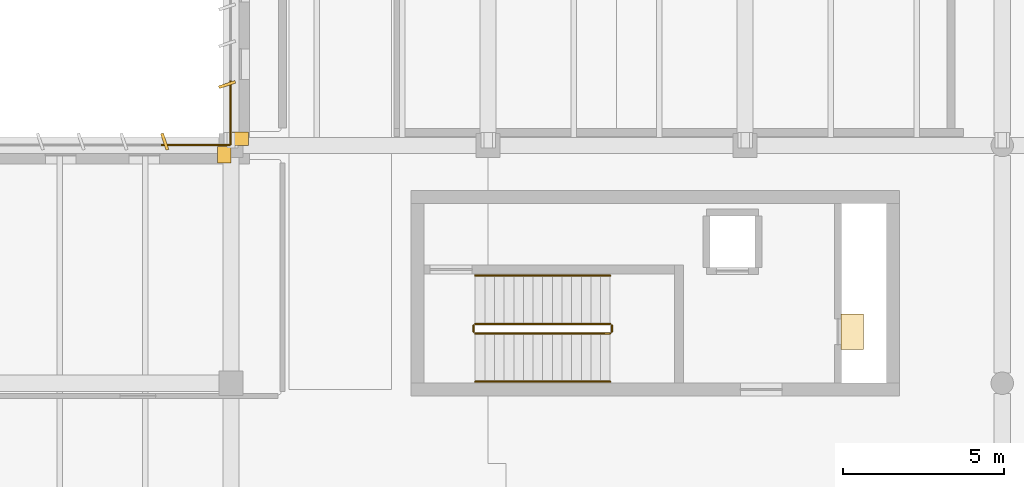
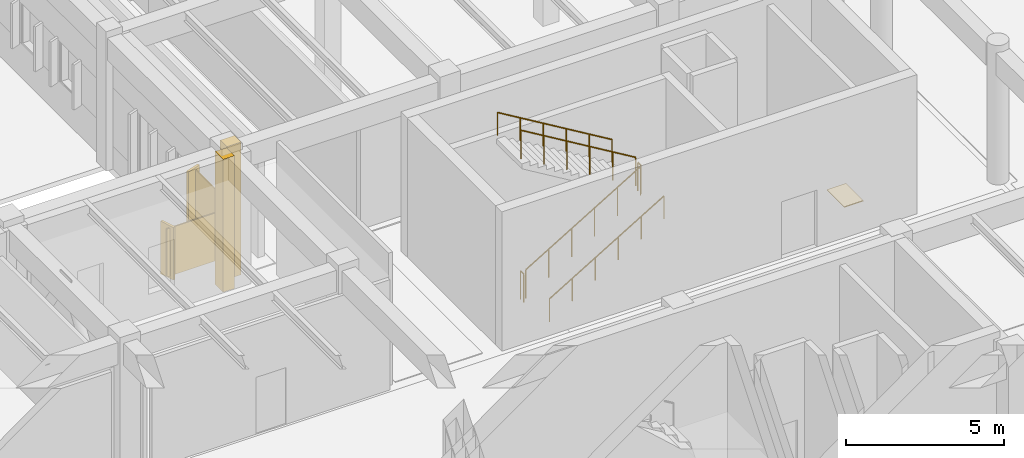
# One storey, part 39 of 56: 7 coverings, 6 railings.
"""IFC4 building model written with IfcOpenShell, lengths in metres."""

from ifc_helpers import new_model, si_unit, direction, frame, frame_2d, origin, origin_2d, place, context, subcontext, project, spatial, polyline, rectangle, circle, outline, extrude, material, layer, layer_set, type_object, element, save


model = new_model("IFC4")

# Units and contexts
model_context = context("Model", 3, precision=1e-05, world=origin(), true_north=direction((0.0, 1.0)))
body_context = subcontext(model_context, "Body", "Model", "MODEL_VIEW")
ifc_project = project(units=[si_unit("LENGTHUNIT", "METRE"), si_unit("AREAUNIT", "SQUARE_METRE"), si_unit("VOLUMEUNIT", "CUBIC_METRE"), si_unit("PLANEANGLEUNIT", "RADIAN"), si_unit("MASSUNIT", "GRAM", prefix="KILO")], contexts=[model_context])

# Site, building, storey
site_placement = place(None, origin())
site = spatial("IfcSite", under=ifc_project, at=site_placement, CompositionType="ELEMENT")
building_placement = place(site_placement, origin())
building = spatial("IfcBuilding", under=site, at=building_placement, Name="Valkorina Park Police Headquarters", CompositionType="ELEMENT")
storey_placement = place(building_placement, origin())
storey = spatial("IfcBuildingStorey", under=building, at=storey_placement, Name="L01", CompositionType="ELEMENT", Elevation=0.0)

# Coverings
ifc_material_1 = material(Name="Precast concrete C40/50", Category="concrete")
ifc_layer_1 = layer(ifc_material_1, 0.044921875)
ifc_layer_set_1 = layer_set([ifc_layer_1], Name="Precast concrete C40/50")
covering_type_1 = type_object("IfcCoveringType", Name="COV-CLAD-DOLOMITE", PredefinedType="CLADDING", material=ifc_layer_set_1)
covering_1_placement = place(storey_placement, frame((32.5849609375, 58.909912109375, 0.0), z_axis=(0.0, 0.0, 1.0), x_axis=(1.0, 0.0, 0.0)))
element("IfcCovering", 1, at=covering_1_placement, inside=storey, type_object=covering_type_1, Name="L01 Exterior Joint Closure Pilaster B 0110", PredefinedType="CLADDING", context=body_context, shape_type="SweptSolid", body=[
    extrude(rectangle(XDim=0.419921875, YDim=0.52197265625, at=origin_2d()), origin(), (0.0, 0.0, 1.0), 5.139892578125),
])
covering_2_placement = place(storey_placement, frame((30.736328125, 59.320068359375, 0.780029296875), z_axis=(0.0, 0.0, 1.0), x_axis=(-0.317304656405, 0.948323655206, 0.0)))
element("IfcCovering", 2, at=covering_2_placement, inside=storey, type_object=covering_type_1, Name="Slanted 18.5-deg Precast Window Slot Fin 0114", PredefinedType="CLADDING", context=body_context, shape_type="SweptSolid", body=[
    extrude(rectangle(XDim=0.5400390625, YDim=0.090087890625, at=origin_2d()), origin(), (0.0, 0.0, 1.0), 2.0400390625),
])
covering_3_placement = place(storey_placement, frame((30.62646484375, 59.215087890625, 0.8701171875), z_axis=(0.0, 0.0, 1.0), x_axis=(1.0, 0.0, 0.0)))
element("IfcCovering", 3, at=covering_3_placement, inside=storey, type_object=covering_type_1, Name="L01 Calm Concrete Base Slot Pier 0119", PredefinedType="CLADDING", context=body_context, shape_type="SweptSolid", body=[
    extrude(rectangle(XDim=2.153564453125, YDim=0.044921875, at=frame_2d((1.07666015625, 0.0))), origin(), (0.0, 0.0, 1.0), 1.85986328125),
])
covering_4_placement = place(storey_placement, frame((33.090087890625, 59.4150390625, 0.0), z_axis=(0.0, 0.0, 1.0), x_axis=(0.0, 1.0, 0.0)))
element("IfcCovering", 4, at=covering_4_placement, inside=storey, type_object=covering_type_1, Name="L01 Exterior Joint Closure Pilaster A 0120", PredefinedType="CLADDING", context=body_context, shape_type="SweptSolid", body=[
    extrude(rectangle(XDim=0.419921875, YDim=0.52197265625, at=origin_2d()), origin(), (0.0, 0.0, 1.0), 5.139892578125),
])
covering_5_placement = place(storey_placement, frame((32.679931640625, 61.095703125, 0.780029296875), z_axis=(0.0, 0.0, 1.0), x_axis=(-0.948323655206, -0.317304656405, 0.0)))
element("IfcCovering", 5, at=covering_5_placement, inside=storey, type_object=covering_type_1, Name="Slanted 18.5-deg Precast Window Slot Fin 0122", PredefinedType="CLADDING", context=body_context, shape_type="SweptSolid", body=[
    extrude(rectangle(XDim=0.5400390625, YDim=0.090087890625, at=origin_2d()), origin(), (0.0, 0.0, 1.0), 2.43994140625),
])
covering_6_placement = place(storey_placement, frame((32.784912109375, 59.219970703125, 0.8701171875), z_axis=(0.0, 0.0, 1.0), x_axis=(0.0, 1.0, 0.0)))
element("IfcCovering", 6, at=covering_6_placement, inside=storey, type_object=covering_type_1, Name="L01 Calm Concrete Base Slot Pier 0128", PredefinedType="CLADDING", context=body_context, shape_type="SweptSolid", body=[
    extrude(rectangle(XDim=1.985595703125, YDim=0.044921875, at=frame_2d((0.99267578125, 0.0))), origin(), (0.0, 0.0, 1.0), 2.259765625),
])
ifc_material_2 = material(Name="Resin terrazzo flooring")
ifc_layer_2 = layer(ifc_material_2, 0.030029296875)
ifc_layer_set_2 = layer_set([ifc_layer_2], Name="Resin terrazzo flooring")
covering_type_2 = type_object("IfcCoveringType", Name="COV-FLOOR-TERRAZZO", PredefinedType="FLOORING", material=ifc_layer_set_2)
covering_7_placement = place(storey_placement, origin())
element("IfcCovering", 7, at=covering_7_placement, inside=storey, type_object=covering_type_2, Name="Core C3 L01 Riser Inspection Threshold Grate", PredefinedType="FLOORING", context=body_context, shape_type="SweptSolid", body=[
    extrude(outline(polyline([(52.47998046875, 52.85009765625), (52.47998046875, 53.949951171875), (51.780029296875, 53.949951171875), (51.780029296875, 52.85009765625), (52.47998046875, 52.85009765625)])), origin(), (0.0, 0.0, 1.0), 0.030029296875),
])

# Railings
ifc_material_3 = material(Name="Stainless steel EN 1.4404", Category="steel")
railing_type_1 = type_object("IfcRailingType", Name="RL-GUARD-INT-1100", PredefinedType="BALUSTRADE", material=ifc_material_3)
railing_1_placement = place(storey_placement, frame((40.39990234375, 53.35009765625, 0.179931640625)))
element("IfcRailing", 8, at=railing_1_placement, inside=storey, type_object=railing_type_1, Name="L01 Core C3 Stair Guard 1", PredefinedType="BALUSTRADE", context=body_context, shape_type="SweptSolid", body=[
    extrude(circle(Radius=0.02392578125, at=origin_2d()), frame((0.0, 0.0, 1.09619140625), z_axis=(0.857501721439, 0.0, 0.514481095599), x_axis=(0.0, 1.0, 0.0)), (0.0, 0.0, 1.0), 4.898193359375),
    extrude(circle(Radius=0.02099609375, at=origin_2d()), origin(), (0.0, 0.0, 1.0), 1.072021484375),
    extrude(circle(Radius=0.02099609375, at=origin_2d()), frame((0.840087890625, 0.0, 0.50390625)), (0.0, 0.0, 1.0), 1.072021484375),
    extrude(circle(Radius=0.02099609375, at=origin_2d()), frame((1.68017578125, 0.0, 1.008056640625)), (0.0, 0.0, 1.0), 1.072021484375),
    extrude(circle(Radius=0.02099609375, at=origin_2d()), frame((2.52001953125, 0.0, 1.511962890625)), (0.0, 0.0, 1.0), 1.072021484375),
    extrude(circle(Radius=0.02099609375, at=origin_2d()), frame((3.360107421875, 0.0, 2.01611328125)), (0.0, 0.0, 1.0), 1.072021484375),
    extrude(circle(Radius=0.02099609375, at=origin_2d()), frame((4.2001953125, 0.0, 2.52001953125)), (0.0, 0.0, 1.0), 1.072021484375),
])
railing_2_placement = place(storey_placement, frame((44.64990234375, 53.39990234375, 2.699951171875)))
element("IfcRailing", 9, at=railing_2_placement, inside=storey, type_object=railing_type_1, Name="L01 Core C3 Stair Guard 2", PredefinedType="BALUSTRADE", context=body_context, shape_type="SweptSolid", body=[
    extrude(circle(Radius=0.02392578125, at=origin_2d()), frame((0.0, 0.0, 1.09619140625), z_axis=(0.0, 1.0, 0.0), x_axis=(-1.0, 0.0, 0.0)), (0.0, 0.0, 1.0), 0.2001953125),
    extrude(circle(Radius=0.02099609375, at=origin_2d()), origin(), (0.0, 0.0, 1.0), 1.072021484375),
    extrude(circle(Radius=0.02099609375, at=origin_2d()), frame((0.0, 0.2001953125, 0.0)), (0.0, 0.0, 1.0), 1.072021484375),
])
railing_3_placement = place(storey_placement, frame((44.60009765625, 53.64990234375, 2.8798828125)))
element("IfcRailing", 10, at=railing_3_placement, inside=storey, type_object=railing_type_1, Name="L01 Core C3 Stair Guard 3", PredefinedType="BALUSTRADE", context=body_context, shape_type="SweptSolid", body=[
    extrude(circle(Radius=0.02392578125, at=origin_2d()), frame((0.0, 0.0, 1.09619140625), z_axis=(-0.857501721439, 0.0, 0.514481095599), x_axis=(0.0, -1.0, 0.0)), (0.0, 0.0, 1.0), 4.898193359375),
    extrude(circle(Radius=0.02099609375, at=origin_2d()), origin(), (0.0, 0.0, 1.0), 1.072021484375),
    extrude(circle(Radius=0.02099609375, at=origin_2d()), frame((-0.840087890625, 0.0, 0.50390625)), (0.0, 0.0, 1.0), 1.072021484375),
    extrude(circle(Radius=0.02099609375, at=origin_2d()), frame((-1.68017578125, 0.0, 1.008056640625)), (0.0, 0.0, 1.0), 1.072021484375),
    extrude(circle(Radius=0.02099609375, at=origin_2d()), frame((-2.52001953125, 0.0, 1.511962890625)), (0.0, 0.0, 1.0), 1.072021484375),
    extrude(circle(Radius=0.02099609375, at=origin_2d()), frame((-3.360107421875, 0.0, 2.01611328125)), (0.0, 0.0, 1.0), 1.072021484375),
    extrude(circle(Radius=0.02099609375, at=origin_2d()), frame((-4.2001953125, 0.0, 2.52001953125)), (0.0, 0.0, 1.0), 1.072021484375),
])
railing_4_placement = place(storey_placement, frame((40.35009765625, 53.39990234375, 0.0)))
element("IfcRailing", 11, at=railing_4_placement, inside=storey, type_object=railing_type_1, Name="L01 Core C3 Stair Guard 4", PredefinedType="BALUSTRADE", context=body_context, shape_type="SweptSolid", body=[
    extrude(circle(Radius=0.02392578125, at=origin_2d()), frame((0.0, 0.0, 1.09619140625), z_axis=(0.0, 1.0, 0.0), x_axis=(-1.0, 0.0, 0.0)), (0.0, 0.0, 1.0), 0.2001953125),
    extrude(circle(Radius=0.02099609375, at=origin_2d()), origin(), (0.0, 0.0, 1.0), 1.072021484375),
    extrude(circle(Radius=0.02099609375, at=origin_2d()), frame((0.0, 0.2001953125, 0.0)), (0.0, 0.0, 1.0), 1.072021484375),
])
railing_type_2 = type_object("IfcRailingType", Name="RL-HANDRAIL-900", PredefinedType="HANDRAIL", material=ifc_material_3)
railing_5_placement = place(storey_placement, frame((40.39990234375, 51.85009765625, 0.179931640625)))
element("IfcRailing", 12, at=railing_5_placement, inside=storey, type_object=railing_type_2, Name="L01 Core C3 Stair Handrail 1", PredefinedType="HANDRAIL", context=body_context, shape_type="SweptSolid", body=[
    extrude(circle(Radius=0.02392578125, at=origin_2d()), frame((0.0, 0.0, 0.8759765625), z_axis=(0.857501721439, 0.0, 0.514481095599), x_axis=(0.0, 1.0, 0.0)), (0.0, 0.0, 1.0), 4.898193359375),
    extrude(circle(Radius=0.02099609375, at=origin_2d()), origin(), (0.0, 0.0, 1.0), 0.851806640625),
    extrude(circle(Radius=0.02099609375, at=origin_2d()), frame((0.840087890625, 0.0, 0.50390625)), (0.0, 0.0, 1.0), 0.851806640625),
    extrude(circle(Radius=0.02099609375, at=origin_2d()), frame((1.68017578125, 0.0, 1.008056640625)), (0.0, 0.0, 1.0), 0.851806640625),
    extrude(circle(Radius=0.02099609375, at=origin_2d()), frame((2.52001953125, 0.0, 1.511962890625)), (0.0, 0.0, 1.0), 0.851806640625),
    extrude(circle(Radius=0.02099609375, at=origin_2d()), frame((3.360107421875, 0.0, 2.01611328125)), (0.0, 0.0, 1.0), 0.851806640625),
    extrude(circle(Radius=0.02099609375, at=origin_2d()), frame((4.2001953125, 0.0, 2.52001953125)), (0.0, 0.0, 1.0), 0.851806640625),
])
railing_6_placement = place(storey_placement, frame((44.60009765625, 55.14990234375, 2.8798828125)))
element("IfcRailing", 13, at=railing_6_placement, inside=storey, type_object=railing_type_2, Name="L01 Core C3 Stair Handrail 2", PredefinedType="HANDRAIL", context=body_context, shape_type="SweptSolid", body=[
    extrude(circle(Radius=0.02392578125, at=origin_2d()), frame((0.0, 0.0, 0.8759765625), z_axis=(-0.857501721439, 0.0, 0.514481095599), x_axis=(0.0, -1.0, 0.0)), (0.0, 0.0, 1.0), 4.898193359375),
    extrude(circle(Radius=0.02099609375, at=origin_2d()), origin(), (0.0, 0.0, 1.0), 0.851806640625),
    extrude(circle(Radius=0.02099609375, at=origin_2d()), frame((-0.840087890625, 0.0, 0.50390625)), (0.0, 0.0, 1.0), 0.851806640625),
    extrude(circle(Radius=0.02099609375, at=origin_2d()), frame((-1.68017578125, 0.0, 1.008056640625)), (0.0, 0.0, 1.0), 0.851806640625),
    extrude(circle(Radius=0.02099609375, at=origin_2d()), frame((-2.52001953125, 0.0, 1.511962890625)), (0.0, 0.0, 1.0), 0.851806640625),
    extrude(circle(Radius=0.02099609375, at=origin_2d()), frame((-3.360107421875, 0.0, 2.01611328125)), (0.0, 0.0, 1.0), 0.851806640625),
    extrude(circle(Radius=0.02099609375, at=origin_2d()), frame((-4.2001953125, 0.0, 2.52001953125)), (0.0, 0.0, 1.0), 0.851806640625),
])

save(model, "model.ifc")
